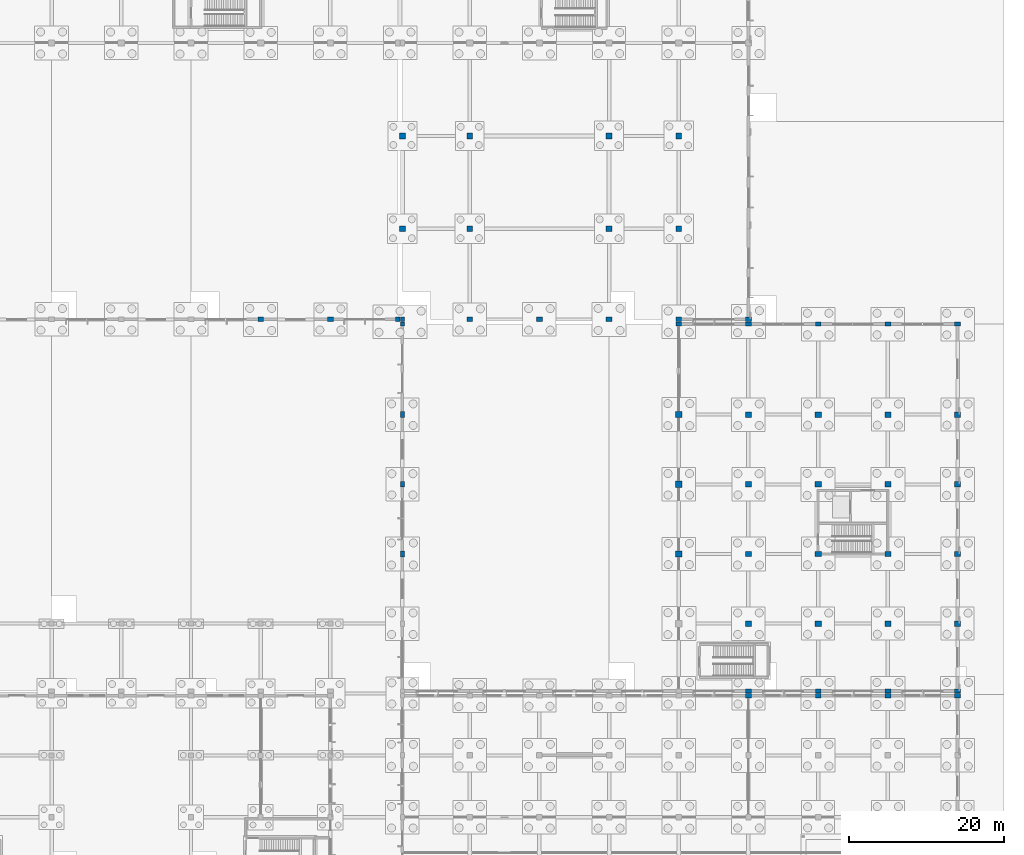
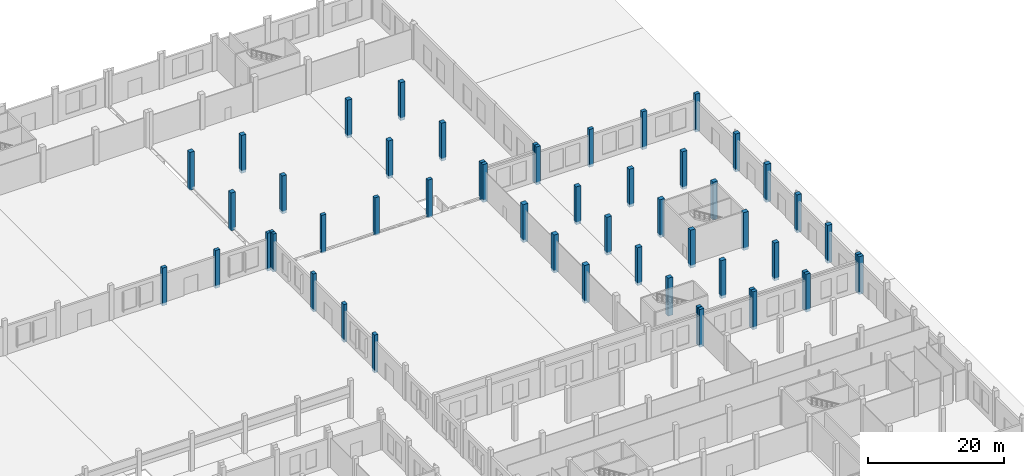
# One storey, part 35 of 99: 53 columns.
"""IFC4 building model written with IfcOpenShell, lengths in metres."""

import ifcopenshell
import ifcopenshell.guid

model = None  # the IFC model being written
_history = None  # IfcOwnerHistory: only IFC2X3 demands one
_inside = {}  # id of a spatial element -> (the spatial element, [elements in it])
_under = {}  # id of a project, library or spatial element -> (it, [spatial elements below it])
_declared = {}  # id of a project -> (the project, [libraries it declares])
_typed = {}  # id of a type object -> (the type object, [elements of that type])
_made_of = {}  # id of a material, layer set ... -> (it, [elements and type objects made of it])


def new_model(schema):
    """Start an empty IFC model of exactly this schema.

    Asked for "IFC4X3", IfcOpenShell would pick the latest addendum, in which some entities
    have other attributes; the version numbers below select the first issue.
    IFC2X3 requires an IfcOwnerHistory on every rooted entity: one is made here for all.
    """
    global model, _history
    if schema == "IFC4X3":
        model = ifcopenshell.file(schema_version=(4, 3, 0, 0))
    else:
        model = ifcopenshell.file(schema=schema)
    _inside.clear()
    _under.clear()
    _declared.clear()
    _typed.clear()
    _made_of.clear()
    _history = None
    if model.schema == "IFC2X3":
        org = make("IfcOrganization", Name="unknown")
        user = make(
            "IfcPersonAndOrganization",
            ThePerson=make("IfcPerson", FamilyName="unknown"),
            TheOrganization=org,
        )
        app = make(
            "IfcApplication",
            ApplicationDeveloper=org,
            Version="unknown",
            ApplicationFullName="unknown",
            ApplicationIdentifier="unknown",
        )
        _history = make(
            "IfcOwnerHistory",
            OwningUser=user,
            OwningApplication=app,
            ChangeAction="ADDED",
            CreationDate=0,
        )
    return model


def make(cls, **values):
    """One entity of the class cls with the attributes given. An attribute that is None is left unset."""
    return model.create_entity(
        cls, **{name: value for name, value in values.items() if value is not None}
    )


def rooted(cls, **values):
    """An entity with a GlobalId (a new one), such as an element, a storey or a relation."""
    return make(cls, GlobalId=ifcopenshell.guid.new(), OwnerHistory=_history, **values)


def si_unit(unit_type, name, prefix=None):
    """IfcSIUnit, for example si_unit("LENGTHUNIT", "METRE", prefix="MILLI")."""
    return make("IfcSIUnit", UnitType=unit_type, Prefix=prefix, Name=name)


def assignment(units):
    """IfcUnitAssignment: the units of a project."""
    return None if units is None else make("IfcUnitAssignment", Units=units)


def point(xyz):
    """IfcCartesianPoint."""
    return None if xyz is None else make("IfcCartesianPoint", Coordinates=xyz)


def direction(xyz):
    """IfcDirection."""
    return None if xyz is None else make("IfcDirection", DirectionRatios=xyz)


def frame(location, z_axis=None, x_axis=None):
    """IfcAxis2Placement3D, a coordinate frame: its origin and axes. An axis left out is left unset."""
    return make(
        "IfcAxis2Placement3D",
        Location=point(location),
        Axis=direction(z_axis),
        RefDirection=direction(x_axis),
    )


def frame_2d(location, x_axis=None):
    """IfcAxis2Placement2D, a coordinate frame in the plane: its origin and x axis."""
    return make(
        "IfcAxis2Placement2D", Location=point(location), RefDirection=direction(x_axis)
    )


def origin():
    """The frame at (0, 0, 0) with its axes left unset."""
    return frame((0.0, 0.0, 0.0))


def origin_2d():
    """The frame at (0, 0) in the plane with its x axis left unset."""
    return frame_2d((0.0, 0.0))


def place(relative_to, where):
    """IfcLocalPlacement: puts the frame where relative to a parent placement (None: the world)."""
    return make(
        "IfcLocalPlacement", PlacementRelTo=relative_to, RelativePlacement=where
    )


def context(
    kind, dimensions, precision=None, world=None, true_north=None, identifier=None
):
    """IfcGeometricRepresentationContext, for example the 3D "Model" context."""
    return make(
        "IfcGeometricRepresentationContext",
        ContextIdentifier=identifier,
        ContextType=kind,
        CoordinateSpaceDimension=dimensions,
        Precision=precision,
        WorldCoordinateSystem=world,
        TrueNorth=true_north,
    )


def subcontext(parent, identifier, kind, view, scale=None):
    """IfcGeometricRepresentationSubContext, for example "Body" below "Model"."""
    return make(
        "IfcGeometricRepresentationSubContext",
        ContextIdentifier=identifier,
        ContextType=kind,
        ParentContext=parent,
        TargetScale=scale,
        TargetView=view,
    )


def project(units=None, contexts=None):
    """IfcProject with its units and contexts."""
    return rooted(
        "IfcProject",
        Name="project",
        RepresentationContexts=contexts,
        UnitsInContext=assignment(units),
    )


def spatial(cls, under=None, at=None, **own):
    """A site, building, storey or space (cls), placed at a placement, below another one or the project."""
    s = rooted(cls, ObjectPlacement=at, **own)
    if under is not None:
        _under.setdefault(under.id(), (under, []))[1].append(s)
    return s


def profile(cls, at=None, kind="AREA", **sizes):
    """A parametric profile (cls). Its sizes go by their IFC names, for example OverallWidth=200.0."""
    return make(cls, ProfileType=kind, Position=at, **sizes)


def rectangle(**sizes):
    """IfcRectangleProfileDef."""
    return profile("IfcRectangleProfileDef", **sizes)


def extrude(swept, where, along, depth):
    """IfcExtrudedAreaSolid: the profile swept, set in the frame where, extruded along a direction by depth."""
    return make(
        "IfcExtrudedAreaSolid",
        SweptArea=swept,
        Position=where,
        ExtrudedDirection=direction(along),
        Depth=depth,
    )


def shape(context_of_items, identifier, shape_type, items):
    """IfcShapeRepresentation: the items that make up one representation, for example the "Body"."""
    return make(
        "IfcShapeRepresentation",
        ContextOfItems=context_of_items,
        RepresentationIdentifier=identifier,
        RepresentationType=shape_type,
        Items=items,
    )


def material(Name=None, Category=None):
    """IfcMaterial."""
    return make("IfcMaterial", Name=Name, Category=Category)


def material_profile(
    of_material, cross_section, Name=None, Category=None, Priority=None
):
    """IfcMaterialProfile: a cross section and its material."""
    return make(
        "IfcMaterialProfile",
        Name=Name,
        Material=of_material,
        Profile=cross_section,
        Priority=Priority,
        Category=Category,
    )


def profile_set(profiles, Name=None, composite=None):
    """IfcMaterialProfileSet."""
    return make(
        "IfcMaterialProfileSet",
        Name=Name,
        MaterialProfiles=profiles,
        CompositeProfile=composite,
    )


def made_of(thing, what):
    """Note that an element or type object is made of a material, layer set ...; save() writes the relation."""
    if what is not None:
        _made_of.setdefault(what.id(), (what, []))[1].append(thing)
    return thing


def type_object(cls, material=None, **own):
    """A type object (cls), such as IfcWallType, which elements share."""
    return made_of(rooted(cls, **own), material)


def element(
    cls,
    number,
    at=None,
    inside=None,
    cuts=None,
    type_object=None,
    material=None,
    context=None,
    identifier="Body",
    shape_type=None,
    held_by="IfcProductDefinitionShape",
    body=None,
    shapes=None,
    **own,
):
    """One element of the class cls, such as IfcWall. Its Tag is "e" and its number.

    at: its placement. inside: the storey or other place that contains it. cuts: it is an
    opening in that element (IfcRelVoidsElement). A single representation is given by context,
    identifier, shape_type and body (its items); several are given by shapes. held_by: the class
    of the entity that holds the representations. save() writes the other relations.
    """
    e = rooted(cls, Tag="e%d" % number, ObjectPlacement=at, **own)
    if body is not None:
        shapes = [shape(context, identifier, shape_type, body)]
    if shapes is not None:
        e.Representation = make(held_by, Representations=shapes)
    if inside is not None:
        _inside.setdefault(inside.id(), (inside, []))[1].append(e)
    if cuts is not None:
        rooted(
            "IfcRelVoidsElement", RelatingBuildingElement=cuts, RelatedOpeningElement=e
        )
    if type_object is not None:
        _typed.setdefault(type_object.id(), (type_object, []))[1].append(e)
    return made_of(e, material)


def aggregate(whole, parts):
    """IfcRelAggregates: a whole, such as a stair, and the parts it consists of."""
    return rooted("IfcRelAggregates", RelatingObject=whole, RelatedObjects=parts)


def save(model, path):
    """Write the relations noted so far, then the file.

    IfcRelAggregates (storeys below a building ...), IfcRelContainedInSpatialStructure (elements
    in a storey), IfcRelDefinesByType, IfcRelAssociatesMaterial and IfcRelDeclares: one each for
    every whole, place, type object, material and project.
    """
    for whole, parts in _under.values():
        aggregate(whole, parts)
    for where, things in _inside.values():
        rooted(
            "IfcRelContainedInSpatialStructure",
            RelatedElements=things,
            RelatingStructure=where,
        )
    for kind, things in _typed.values():
        rooted("IfcRelDefinesByType", RelatedObjects=things, RelatingType=kind)
    for what, things in _made_of.values():
        rooted("IfcRelAssociatesMaterial", RelatedObjects=things, RelatingMaterial=what)
    for by, libraries in _declared.values():
        rooted("IfcRelDeclares", RelatingContext=by, RelatedDefinitions=libraries)
    model.write(path)


model = new_model("IFC4")

# Units and contexts
model_context = context("Model", 3, precision=1e-05, world=origin(), true_north=direction((0.0, 1.0)))
body_context = subcontext(model_context, "Body", "Model", "MODEL_VIEW")
ifc_project = project(units=[si_unit("LENGTHUNIT", "METRE"), si_unit("AREAUNIT", "SQUARE_METRE"), si_unit("VOLUMEUNIT", "CUBIC_METRE"), si_unit("PLANEANGLEUNIT", "RADIAN"), si_unit("MASSUNIT", "GRAM", prefix="KILO")], contexts=[model_context])

# Site, building, storey
site_placement = place(None, origin())
site = spatial("IfcSite", under=ifc_project, at=site_placement, CompositionType="ELEMENT")
building_placement = place(site_placement, origin())
building = spatial("IfcBuilding", under=site, at=building_placement, Name="Zacnel Wholesale Market", CompositionType="ELEMENT")
storey_placement = place(building_placement, origin())
storey = spatial("IfcBuildingStorey", under=building, at=storey_placement, Name="L01", CompositionType="ELEMENT", Elevation=0.0)

# Columns
ifc_material_1 = material(Name="Precast concrete C45/55", Category="concrete")
ifc_material_profile_1 = material_profile(ifc_material_1, rectangle(XDim=0.550048828125, YDim=0.75, at=origin_2d()), Name="PC 550x750")
ifc_profile_set_1 = profile_set([ifc_material_profile_1], Name="Precast concrete C45/55")
column_type_1 = type_object("IfcColumnType", Name="COL-MJ550X750", PredefinedType="COLUMN", material=ifc_profile_set_1)
for number, where, z_axis, x_axis, name in (
    (1, (144.300048828125, 66.0, -0.5), (0.0, 0.0, 1.0), (1.0, 0.0, 0.0), "Precast column L01-0245"),
    (2, (144.300048828125, 75.0, -0.5), (0.0, 0.0, 1.0), (1.0, 0.0, 0.0), "Precast column L01-0246"),
    (3, (144.300048828125, 84.0, -0.5), (0.0, 0.0, 1.0), (1.0, 0.0, 0.0), "Precast column L01-0247"),
):
    element("IfcColumn", number, at=place(storey_placement, frame(where, z_axis=z_axis, x_axis=x_axis)), inside=storey, type_object=column_type_1, Name=name, PredefinedType="COLUMN", context=body_context, shape_type="SweptSolid", body=[
        extrude(rectangle(XDim=0.550048828125, YDim=0.75, at=origin_2d()), origin(), (0.0, 0.0, 1.0), 6.800048828125),
    ])
ifc_material_2 = material(Name="Precast concrete C45/55", Category="concrete")
ifc_material_profile_2 = material_profile(ifc_material_2, rectangle(XDim=0.75, YDim=0.550048828125, at=origin_2d()), Name="PC 750x550")
ifc_profile_set_2 = profile_set([ifc_material_profile_2], Name="Precast concrete C45/55")
column_type_2 = type_object("IfcColumnType", Name="COL-MJ750X550", PredefinedType="COLUMN", material=ifc_profile_set_2)
for number, where, z_axis, x_axis, name in (
    (4, (126.0, 96.300048828125, -0.5), (0.0, 0.0, 1.0), (1.0, 0.0, 0.0), "Precast column L01-0216"),
    (5, (135.0, 96.300048828125, -0.5), (0.0, 0.0, 1.0), (1.0, 0.0, 0.0), "Precast column L01-0227"),
    (6, (153.0, 96.300048828125, -0.5), (0.0, 0.0, 1.0), (1.0, 0.0, 0.0), "Precast column L01-0259"),
    (7, (162.0, 96.300048828125, -0.5), (0.0, 0.0, 1.0), (1.0, 0.0, 0.0), "Precast column L01-0269"),
    (8, (171.0, 96.300048828125, -0.5), (0.0, 0.0, 1.0), (1.0, 0.0, 0.0), "Precast column L01-0279"),
    (9, (180.0, 95.699951171875, -0.5), (0.0, 0.0, 1.0), (1.0, 0.0, 0.0), "Precast column L01-0293"),
    (10, (180.0, 96.300048828125, -0.5), (0.0, 0.0, 1.0), (1.0, 0.0, 0.0), "Precast column L01-0294"),
    (11, (189.0, 47.699951171875, -0.5), (0.0, 0.0, 1.0), (1.0, 0.0, 0.0), "Precast column L01-0303"),
    (12, (189.0, 48.300048828125, -0.5), (0.0, 0.0, 1.0), (1.0, 0.0, 0.0), "Precast column L01-0304"),
    (13, (189.0, 95.699951171875, -0.5), (0.0, 0.0, 1.0), (1.0, 0.0, 0.0), "Precast column L01-0309"),
    (14, (189.0, 96.300048828125, -0.5), (0.0, 0.0, 1.0), (1.0, 0.0, 0.0), "Precast column L01-0310"),
    (15, (198.0, 47.699951171875, -0.5), (0.0, 0.0, 1.0), (1.0, 0.0, 0.0), "Precast column L01-0319"),
    (16, (198.0, 48.300048828125, -0.5), (0.0, 0.0, 1.0), (1.0, 0.0, 0.0), "Precast column L01-0320"),
    (17, (198.0, 95.699951171875, -0.5), (0.0, 0.0, 1.0), (1.0, 0.0, 0.0), "Precast column L01-0325"),
    (18, (207.0, 47.699951171875, -0.5), (0.0, 0.0, 1.0), (1.0, 0.0, 0.0), "Precast column L01-0332"),
    (19, (207.0, 48.300048828125, -0.5), (0.0, 0.0, 1.0), (1.0, 0.0, 0.0), "Precast column L01-0333"),
    (20, (207.0, 95.699951171875, -0.5), (0.0, 0.0, 1.0), (1.0, 0.0, 0.0), "Precast column L01-0338"),
    (21, (216.0, 47.699951171875, -0.5), (0.0, 0.0, 1.0), (1.0, 0.0, 0.0), "Precast column L01-0345"),
    (22, (216.0, 48.300048828125, -0.5), (0.0, 0.0, 1.0), (1.0, 0.0, 0.0), "Precast column L01-0346"),
    (23, (216.0, 95.699951171875, -0.5), (0.0, 0.0, 1.0), (1.0, 0.0, 0.0), "Precast column L01-0351"),
):
    element("IfcColumn", number, at=place(storey_placement, frame(where, z_axis=z_axis, x_axis=x_axis)), inside=storey, type_object=column_type_2, Name=name, PredefinedType="COLUMN", context=body_context, shape_type="SweptSolid", body=[
        extrude(rectangle(XDim=0.75, YDim=0.550048828125, at=origin_2d()), origin(), (0.0, 0.0, 1.0), 6.800048828125),
    ])
ifc_material_3 = material(Name="Precast concrete C45/55", Category="concrete")
ifc_material_profile_3 = material_profile(ifc_material_3, rectangle(XDim=0.550048828125, YDim=0.550048828125, at=origin_2d()), Name="PC 550x550")
ifc_profile_set_3 = profile_set([ifc_material_profile_3], Name="Precast concrete C45/55")
column_type_3 = type_object("IfcColumnType", Name="COL-PC550", PredefinedType="COLUMN", material=ifc_profile_set_3)
for number, where, z_axis, x_axis, name in (
    (24, (143.699951171875, 96.300048828125, -0.5), (0.0, 0.0, 1.0), (1.0, 0.0, 0.0), "Precast column L01-0233"),
    (25, (144.300048828125, 95.699951171875, -0.5), (0.0, 0.0, 1.0), (1.0, 0.0, 0.0), "Precast column L01-0248"),
    (26, (144.300048828125, 96.300048828125, -0.5), (0.0, 0.0, 1.0), (1.0, 0.0, 0.0), "Precast column L01-0249"),
):
    element("IfcColumn", number, at=place(storey_placement, frame(where, z_axis=z_axis, x_axis=x_axis)), inside=storey, type_object=column_type_3, Name=name, PredefinedType="COLUMN", context=body_context, shape_type="SweptSolid", body=[
        extrude(rectangle(XDim=0.550048828125, YDim=0.550048828125, at=origin_2d()), origin(), (0.0, 0.0, 1.0), 6.800048828125),
    ])
ifc_material_4 = material(Name="Precast concrete C45/55", Category="concrete")
ifc_material_profile_4 = material_profile(ifc_material_4, rectangle(XDim=0.75, YDim=0.75, at=origin_2d()), Name="PC 750x750")
ifc_profile_set_4 = profile_set([ifc_material_profile_4], Name="Precast concrete C45/55")
column_type_4 = type_object("IfcColumnType", Name="COL-PC750", PredefinedType="COLUMN", material=ifc_profile_set_4)
for number, where, z_axis, x_axis, name in (
    (27, (153.0, 108.0, -0.5), (0.0, 0.0, 1.0), (1.0, 0.0, 0.0), "Crossing drum column L01-01"),
    (28, (171.0, 108.0, -0.5), (0.0, 0.0, 1.0), (1.0, 0.0, 0.0), "Crossing drum column L01-02"),
    (29, (153.0, 120.0, -0.5), (0.0, 0.0, 1.0), (1.0, 0.0, 0.0), "Crossing drum column L01-03"),
    (30, (171.0, 120.0, -0.5), (0.0, 0.0, 1.0), (1.0, 0.0, 0.0), "Crossing drum column L01-04"),
    (31, (144.300048828125, 108.0, -0.5), (0.0, 0.0, 1.0), (1.0, 0.0, 0.0), "Crossing drum column L01-05"),
    (32, (144.300048828125, 120.0, -0.5), (0.0, 0.0, 1.0), (1.0, 0.0, 0.0), "Crossing drum column L01-06"),
    (33, (180.0, 108.0, -0.5), (0.0, 0.0, 1.0), (1.0, 0.0, 0.0), "Crossing drum column L01-07"),
    (34, (180.0, 120.0, -0.5), (0.0, 0.0, 1.0), (1.0, 0.0, 0.0), "Crossing drum column L01-08"),
):
    element("IfcColumn", number, at=place(storey_placement, frame(where, z_axis=z_axis, x_axis=x_axis)), inside=storey, type_object=column_type_4, Name=name, PredefinedType="COLUMN", context=body_context, shape_type="SweptSolid", body=[
        extrude(rectangle(XDim=0.75, YDim=0.75, at=origin_2d()), origin(), (0.0, 0.0, 1.0), 6.800048828125),
    ])
ifc_material_5 = material(Name="Precast concrete C45/55", Category="concrete")
ifc_material_profile_5 = material_profile(ifc_material_5, rectangle(XDim=0.800048828125, YDim=0.800048828125, at=origin_2d()), Name="PC 800x800")
ifc_profile_set_5 = profile_set([ifc_material_profile_5], Name="Precast concrete C45/55")
column_type_5 = type_object("IfcColumnType", Name="COL-PC800", PredefinedType="COLUMN", material=ifc_profile_set_5)
for number, where, z_axis, x_axis, name in (
    (35, (180.0, 66.0, -0.5), (0.0, 0.0, 1.0), (1.0, 0.0, 0.0), "Precast column L01-0290"),
    (36, (180.0, 75.0, -0.5), (0.0, 0.0, 1.0), (1.0, 0.0, 0.0), "Precast column L01-0291"),
    (37, (180.0, 84.0, -0.5), (0.0, 0.0, 1.0), (1.0, 0.0, 0.0), "Precast column L01-0292"),
):
    element("IfcColumn", number, at=place(storey_placement, frame(where, z_axis=z_axis, x_axis=x_axis)), inside=storey, type_object=column_type_5, Name=name, PredefinedType="COLUMN", context=body_context, shape_type="SweptSolid", body=[
        extrude(rectangle(XDim=0.800048828125, YDim=0.800048828125, at=origin_2d()), origin(), (0.0, 0.0, 1.0), 6.800048828125),
    ])
ifc_material_6 = material(Name="Precast concrete C45/55", Category="concrete")
ifc_material_profile_6 = material_profile(ifc_material_6, rectangle(XDim=0.800048828125, YDim=0.699951171875, at=origin_2d()), Name="PC 800x700")
ifc_profile_set_6 = profile_set([ifc_material_profile_6], Name="Precast concrete C45/55")
column_type_6 = type_object("IfcColumnType", Name="COL-PC800X700", PredefinedType="COLUMN", material=ifc_profile_set_6)
for number, where, z_axis, x_axis, name in (
    (38, (189.0, 57.0, -0.5), (0.0, 0.0, 1.0), (1.0, 0.0, 0.0), "Precast column L01-0305"),
    (39, (189.0, 66.0, -0.5), (0.0, 0.0, 1.0), (1.0, 0.0, 0.0), "Precast column L01-0306"),
    (40, (189.0, 75.0, -0.5), (0.0, 0.0, 1.0), (1.0, 0.0, 0.0), "Precast column L01-0307"),
    (41, (189.0, 84.0, -0.5), (0.0, 0.0, 1.0), (1.0, 0.0, 0.0), "Precast column L01-0308"),
    (42, (198.0, 57.0, -0.5), (0.0, 0.0, 1.0), (1.0, 0.0, 0.0), "Precast column L01-0321"),
    (43, (198.0, 66.0, -0.5), (0.0, 0.0, 1.0), (1.0, 0.0, 0.0), "Precast column L01-0322"),
    (44, (198.0, 75.0, -0.5), (0.0, 0.0, 1.0), (1.0, 0.0, 0.0), "Precast column L01-0323"),
    (45, (198.0, 84.0, -0.5), (0.0, 0.0, 1.0), (1.0, 0.0, 0.0), "Precast column L01-0324"),
    (46, (207.0, 57.0, -0.5), (0.0, 0.0, 1.0), (1.0, 0.0, 0.0), "Precast column L01-0334"),
    (47, (207.0, 66.0, -0.5), (0.0, 0.0, 1.0), (1.0, 0.0, 0.0), "Precast column L01-0335"),
    (48, (207.0, 75.0, -0.5), (0.0, 0.0, 1.0), (1.0, 0.0, 0.0), "Precast column L01-0336"),
    (49, (207.0, 84.0, -0.5), (0.0, 0.0, 1.0), (1.0, 0.0, 0.0), "Precast column L01-0337"),
    (50, (216.0, 57.0, -0.5), (0.0, 0.0, 1.0), (1.0, 0.0, 0.0), "Precast column L01-0347"),
    (51, (216.0, 66.0, -0.5), (0.0, 0.0, 1.0), (1.0, 0.0, 0.0), "Precast column L01-0348"),
    (52, (216.0, 75.0, -0.5), (0.0, 0.0, 1.0), (1.0, 0.0, 0.0), "Precast column L01-0349"),
    (53, (216.0, 84.0, -0.5), (0.0, 0.0, 1.0), (1.0, 0.0, 0.0), "Precast column L01-0350"),
):
    element("IfcColumn", number, at=place(storey_placement, frame(where, z_axis=z_axis, x_axis=x_axis)), inside=storey, type_object=column_type_6, Name=name, PredefinedType="COLUMN", context=body_context, shape_type="SweptSolid", body=[
        extrude(rectangle(XDim=0.800048828125, YDim=0.699951171875, at=origin_2d()), origin(), (0.0, 0.0, 1.0), 6.800048828125),
    ])

save(model, "model.ifc")
